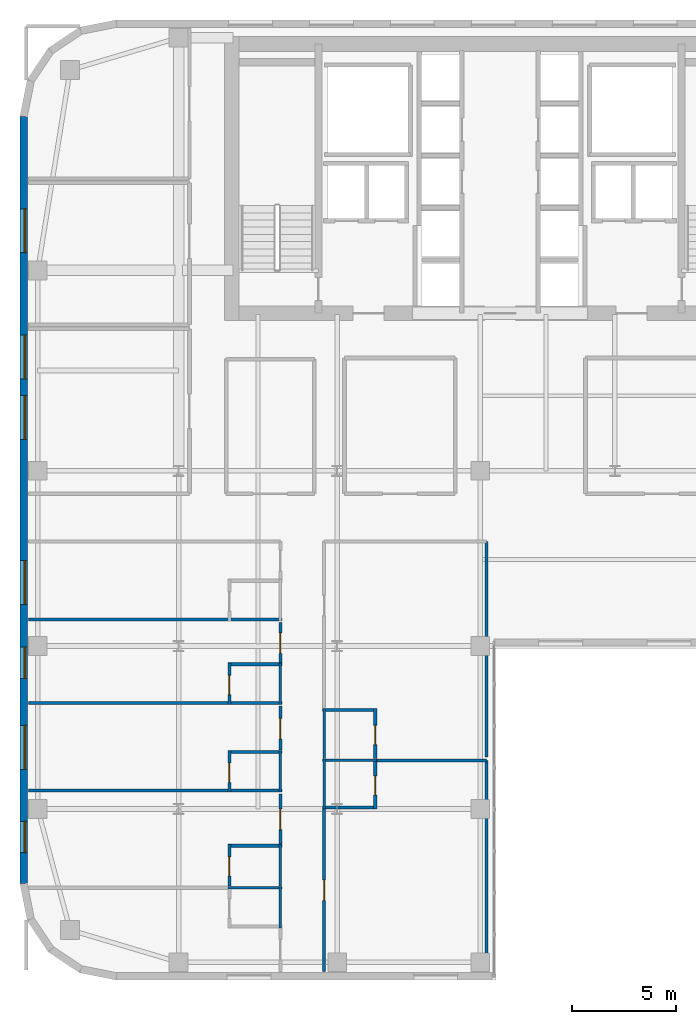
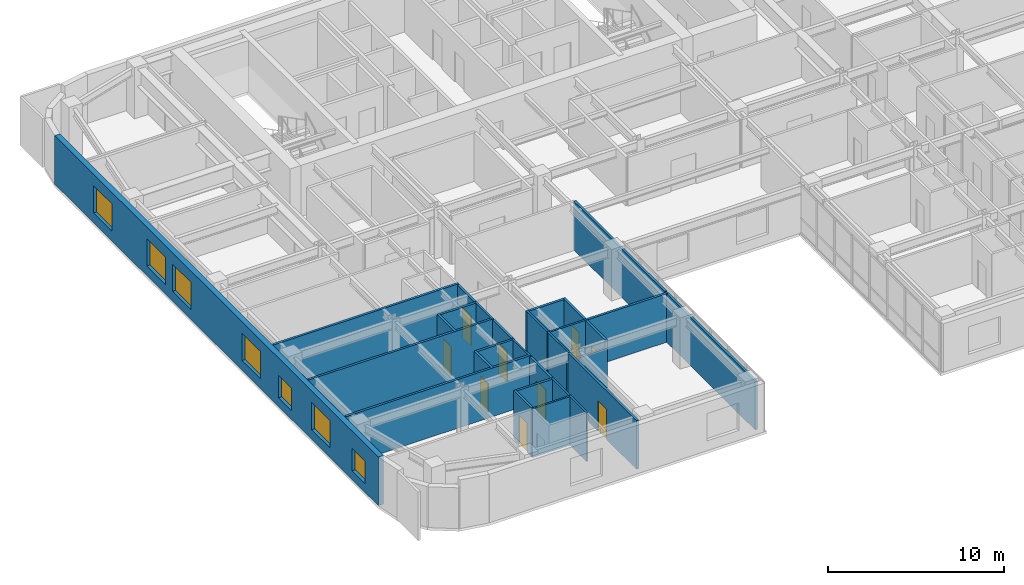
# One storey, part 10 of 17: 29 walls, 9 doors, 7 windows, 16 openings.
"""IFC4 building model written with IfcOpenShell, lengths in metres."""

import ifcopenshell
import ifcopenshell.guid

model = None  # the IFC model being written
_history = None  # IfcOwnerHistory: only IFC2X3 demands one
_inside = {}  # id of a spatial element -> (the spatial element, [elements in it])
_under = {}  # id of a project, library or spatial element -> (it, [spatial elements below it])
_declared = {}  # id of a project -> (the project, [libraries it declares])
_typed = {}  # id of a type object -> (the type object, [elements of that type])
_made_of = {}  # id of a material, layer set ... -> (it, [elements and type objects made of it])


def new_model(schema):
    """Start an empty IFC model of exactly this schema.

    Asked for "IFC4X3", IfcOpenShell would pick the latest addendum, in which some entities
    have other attributes; the version numbers below select the first issue.
    IFC2X3 requires an IfcOwnerHistory on every rooted entity: one is made here for all.
    """
    global model, _history
    if schema == "IFC4X3":
        model = ifcopenshell.file(schema_version=(4, 3, 0, 0))
    else:
        model = ifcopenshell.file(schema=schema)
    _inside.clear()
    _under.clear()
    _declared.clear()
    _typed.clear()
    _made_of.clear()
    _history = None
    if model.schema == "IFC2X3":
        org = make("IfcOrganization", Name="unknown")
        user = make(
            "IfcPersonAndOrganization",
            ThePerson=make("IfcPerson", FamilyName="unknown"),
            TheOrganization=org,
        )
        app = make(
            "IfcApplication",
            ApplicationDeveloper=org,
            Version="unknown",
            ApplicationFullName="unknown",
            ApplicationIdentifier="unknown",
        )
        _history = make(
            "IfcOwnerHistory",
            OwningUser=user,
            OwningApplication=app,
            ChangeAction="ADDED",
            CreationDate=0,
        )
    return model


def make(cls, **values):
    """One entity of the class cls with the attributes given. An attribute that is None is left unset."""
    return model.create_entity(
        cls, **{name: value for name, value in values.items() if value is not None}
    )


def rooted(cls, **values):
    """An entity with a GlobalId (a new one), such as an element, a storey or a relation."""
    return make(cls, GlobalId=ifcopenshell.guid.new(), OwnerHistory=_history, **values)


def si_unit(unit_type, name, prefix=None):
    """IfcSIUnit, for example si_unit("LENGTHUNIT", "METRE", prefix="MILLI")."""
    return make("IfcSIUnit", UnitType=unit_type, Prefix=prefix, Name=name)


def assignment(units):
    """IfcUnitAssignment: the units of a project."""
    return None if units is None else make("IfcUnitAssignment", Units=units)


def point(xyz):
    """IfcCartesianPoint."""
    return None if xyz is None else make("IfcCartesianPoint", Coordinates=xyz)


def direction(xyz):
    """IfcDirection."""
    return None if xyz is None else make("IfcDirection", DirectionRatios=xyz)


def frame(location, z_axis=None, x_axis=None):
    """IfcAxis2Placement3D, a coordinate frame: its origin and axes. An axis left out is left unset."""
    return make(
        "IfcAxis2Placement3D",
        Location=point(location),
        Axis=direction(z_axis),
        RefDirection=direction(x_axis),
    )


def frame_2d(location, x_axis=None):
    """IfcAxis2Placement2D, a coordinate frame in the plane: its origin and x axis."""
    return make(
        "IfcAxis2Placement2D", Location=point(location), RefDirection=direction(x_axis)
    )


def origin():
    """The frame at (0, 0, 0) with its axes left unset."""
    return frame((0.0, 0.0, 0.0))


def place(relative_to, where):
    """IfcLocalPlacement: puts the frame where relative to a parent placement (None: the world)."""
    return make(
        "IfcLocalPlacement", PlacementRelTo=relative_to, RelativePlacement=where
    )


def context(
    kind, dimensions, precision=None, world=None, true_north=None, identifier=None
):
    """IfcGeometricRepresentationContext, for example the 3D "Model" context."""
    return make(
        "IfcGeometricRepresentationContext",
        ContextIdentifier=identifier,
        ContextType=kind,
        CoordinateSpaceDimension=dimensions,
        Precision=precision,
        WorldCoordinateSystem=world,
        TrueNorth=true_north,
    )


def subcontext(parent, identifier, kind, view, scale=None):
    """IfcGeometricRepresentationSubContext, for example "Body" below "Model"."""
    return make(
        "IfcGeometricRepresentationSubContext",
        ContextIdentifier=identifier,
        ContextType=kind,
        ParentContext=parent,
        TargetScale=scale,
        TargetView=view,
    )


def project(units=None, contexts=None):
    """IfcProject with its units and contexts."""
    return rooted(
        "IfcProject",
        Name="project",
        RepresentationContexts=contexts,
        UnitsInContext=assignment(units),
    )


def spatial(cls, under=None, at=None, **own):
    """A site, building, storey or space (cls), placed at a placement, below another one or the project."""
    s = rooted(cls, ObjectPlacement=at, **own)
    if under is not None:
        _under.setdefault(under.id(), (under, []))[1].append(s)
    return s


def profile(cls, at=None, kind="AREA", **sizes):
    """A parametric profile (cls). Its sizes go by their IFC names, for example OverallWidth=200.0."""
    return make(cls, ProfileType=kind, Position=at, **sizes)


def rectangle(**sizes):
    """IfcRectangleProfileDef."""
    return profile("IfcRectangleProfileDef", **sizes)


def extrude(swept, where, along, depth):
    """IfcExtrudedAreaSolid: the profile swept, set in the frame where, extruded along a direction by depth."""
    return make(
        "IfcExtrudedAreaSolid",
        SweptArea=swept,
        Position=where,
        ExtrudedDirection=direction(along),
        Depth=depth,
    )


def shape(context_of_items, identifier, shape_type, items):
    """IfcShapeRepresentation: the items that make up one representation, for example the "Body"."""
    return make(
        "IfcShapeRepresentation",
        ContextOfItems=context_of_items,
        RepresentationIdentifier=identifier,
        RepresentationType=shape_type,
        Items=items,
    )


def source(mapping_origin, context_of_items, identifier, shape_type, items):
    """IfcRepresentationMap: a shape defined once, which mapped items show again and again."""
    return make(
        "IfcRepresentationMap",
        MappingOrigin=mapping_origin,
        MappedRepresentation=shape(context_of_items, identifier, shape_type, items),
    )


def transform(
    local_origin,
    x_axis=None,
    y_axis=None,
    z_axis=None,
    scale=None,
    scale2=None,
    scale3=None,
    uniform=True,
):
    """IfcCartesianTransformationOperator3D, or its non-uniform kind. x_axis, y_axis, z_axis: its Axis1, 2, 3."""
    if uniform:
        return make(
            "IfcCartesianTransformationOperator3D",
            Axis1=direction(x_axis),
            Axis2=direction(y_axis),
            LocalOrigin=point(local_origin),
            Scale=scale,
            Axis3=direction(z_axis),
        )
    return make(
        "IfcCartesianTransformationOperator3DnonUniform",
        Axis1=direction(x_axis),
        Axis2=direction(y_axis),
        LocalOrigin=point(local_origin),
        Scale=scale,
        Axis3=direction(z_axis),
        Scale2=scale2,
        Scale3=scale3,
    )


def mapped(mapping_source, mapping_target):
    """IfcMappedItem: shows the shape of a source again, moved by a transform."""
    return make(
        "IfcMappedItem", MappingSource=mapping_source, MappingTarget=mapping_target
    )


def material(Name=None, Category=None):
    """IfcMaterial."""
    return make("IfcMaterial", Name=Name, Category=Category)


def layer(
    of_material, thickness, ventilated=None, Name=None, Category=None, Priority=None
):
    """IfcMaterialLayer: one layer of a wall or slab, of a material (None: an air gap)."""
    return make(
        "IfcMaterialLayer",
        Material=of_material,
        LayerThickness=thickness,
        IsVentilated=ventilated,
        Name=Name,
        Category=Category,
        Priority=Priority,
    )


def layer_set(layers, Name=None):
    """IfcMaterialLayerSet."""
    return make("IfcMaterialLayerSet", MaterialLayers=layers, LayerSetName=Name)


def made_of(thing, what):
    """Note that an element or type object is made of a material, layer set ...; save() writes the relation."""
    if what is not None:
        _made_of.setdefault(what.id(), (what, []))[1].append(thing)
    return thing


def type_object(cls, material=None, **own):
    """A type object (cls), such as IfcWallType, which elements share."""
    return made_of(rooted(cls, **own), material)


def type_shapes(of_type, sources):
    """Give a type object the sources (RepresentationMaps) that its elements show as mapped items."""
    of_type.RepresentationMaps = sources


def element(
    cls,
    number,
    at=None,
    inside=None,
    cuts=None,
    type_object=None,
    material=None,
    context=None,
    identifier="Body",
    shape_type=None,
    held_by="IfcProductDefinitionShape",
    body=None,
    shapes=None,
    **own,
):
    """One element of the class cls, such as IfcWall. Its Tag is "e" and its number.

    at: its placement. inside: the storey or other place that contains it. cuts: it is an
    opening in that element (IfcRelVoidsElement). A single representation is given by context,
    identifier, shape_type and body (its items); several are given by shapes. held_by: the class
    of the entity that holds the representations. save() writes the other relations.
    """
    e = rooted(cls, Tag="e%d" % number, ObjectPlacement=at, **own)
    if body is not None:
        shapes = [shape(context, identifier, shape_type, body)]
    if shapes is not None:
        e.Representation = make(held_by, Representations=shapes)
    if inside is not None:
        _inside.setdefault(inside.id(), (inside, []))[1].append(e)
    if cuts is not None:
        rooted(
            "IfcRelVoidsElement", RelatingBuildingElement=cuts, RelatedOpeningElement=e
        )
    if type_object is not None:
        _typed.setdefault(type_object.id(), (type_object, []))[1].append(e)
    return made_of(e, material)


def fill(opening, filler):
    """IfcRelFillsElement: the door or window that sits in an opening."""
    return rooted(
        "IfcRelFillsElement",
        RelatingOpeningElement=opening,
        RelatedBuildingElement=filler,
    )


def aggregate(whole, parts):
    """IfcRelAggregates: a whole, such as a stair, and the parts it consists of."""
    return rooted("IfcRelAggregates", RelatingObject=whole, RelatedObjects=parts)


def save(model, path):
    """Write the relations noted so far, then the file.

    IfcRelAggregates (storeys below a building ...), IfcRelContainedInSpatialStructure (elements
    in a storey), IfcRelDefinesByType, IfcRelAssociatesMaterial and IfcRelDeclares: one each for
    every whole, place, type object, material and project.
    """
    for whole, parts in _under.values():
        aggregate(whole, parts)
    for where, things in _inside.values():
        rooted(
            "IfcRelContainedInSpatialStructure",
            RelatedElements=things,
            RelatingStructure=where,
        )
    for kind, things in _typed.values():
        rooted("IfcRelDefinesByType", RelatedObjects=things, RelatingType=kind)
    for what, things in _made_of.values():
        rooted("IfcRelAssociatesMaterial", RelatedObjects=things, RelatingMaterial=what)
    for by, libraries in _declared.values():
        rooted("IfcRelDeclares", RelatingContext=by, RelatedDefinitions=libraries)
    model.write(path)


model = new_model("IFC4")

# Units and contexts
model_context = context("Model", 3, precision=1e-05, world=origin(), true_north=direction((0.0, 1.0)))
body_context = subcontext(model_context, "Body", "Model", "MODEL_VIEW")
ifc_project = project(units=[si_unit("LENGTHUNIT", "METRE"), si_unit("AREAUNIT", "SQUARE_METRE"), si_unit("VOLUMEUNIT", "CUBIC_METRE"), si_unit("PLANEANGLEUNIT", "RADIAN"), si_unit("MASSUNIT", "GRAM", prefix="KILO")], contexts=[model_context])

# Site, building, storey
site_placement = place(None, origin())
site = spatial("IfcSite", under=ifc_project, at=site_placement, CompositionType="ELEMENT")
building_placement = place(site_placement, origin())
building = spatial("IfcBuilding", under=site, at=building_placement, Name="Tolvann Quenvar Hotel", CompositionType="ELEMENT")
storey_placement = place(building_placement, frame((0.0, 0.0, 108.0)))
storey = spatial("IfcBuildingStorey", under=building, at=storey_placement, Name="L27", CompositionType="ELEMENT", Elevation=108.0)

# Wall, openings, windows
ifc_material_1 = material(Name="Kiln-fired red and buff architectural clay brickwork and terracotta masonry", Category="masonry")
ifc_layer_1 = layer(ifc_material_1, 0.35009765625)
ifc_layer_set_1 = layer_set([ifc_layer_1], Name="Kiln-fired red and buff architectural clay brickwork and terracotta masonry")
wall_type_1 = type_object("IfcWallType", Name="WALL_EXT_BRICK_350", PredefinedType="SOLIDWALL", material=ifc_layer_set_1)
wall_1_placement = place(storey_placement, frame((0.175048828125, 41.3828125, 0.0), z_axis=(0.0, 0.0, 1.0), x_axis=(0.0, -1.0, 0.0)))
wall_1 = element("IfcWall", 1, at=wall_1_placement, inside=storey, type_object=wall_type_1, Name="Exterior Chicago Brick Wall L27-E23", PredefinedType="SOLIDWALL", context=body_context, shape_type="SweptSolid", body=[
    extrude(rectangle(XDim=36.765625, YDim=0.35009765625, at=frame_2d((18.3828125, 0.0))), origin(), (0.0, 0.0, 1.0), 3.3701171875),
])
opening_1_placement = place(wall_1_placement, frame((4.427978515625, 0.0, 0.679931640625)))
opening_1 = element("IfcOpeningElement", 2, at=opening_1_placement, cuts=wall_1, Name="Opening W-02", PredefinedType="OPENING", context=body_context, shape_type="SweptSolid", body=[
    extrude(rectangle(XDim=2.10009765625, YDim=1.89990234375, at=frame_2d((1.050048828125, 0.949951171875))), frame((0.0, 0.18505859375, 0.0), z_axis=(0.0, -1.0, 0.0), x_axis=(1.0, 0.0, 0.0)), (0.0, 0.0, 1.0), 0.3701171875),
])
opening_2_placement = place(wall_1_placement, frame((10.47900390625, 0.0, 0.679931640625)))
opening_2 = element("IfcOpeningElement", 3, at=opening_2_placement, cuts=wall_1, Name="Opening W-02", PredefinedType="OPENING", context=body_context, shape_type="SweptSolid", body=[
    extrude(rectangle(XDim=2.10009765625, YDim=1.89990234375, at=frame_2d((1.050048828125, 0.949951171875))), frame((0.0, 0.18505859375, 0.0), z_axis=(0.0, -1.0, 0.0), x_axis=(1.0, 0.0, 0.0)), (0.0, 0.0, 1.0), 0.3701171875),
])
opening_3_placement = place(wall_1_placement, frame((13.381103515625, 0.0, 0.679931640625)))
opening_3 = element("IfcOpeningElement", 4, at=opening_3_placement, cuts=wall_1, Name="Opening W-02", PredefinedType="OPENING", context=body_context, shape_type="SweptSolid", body=[
    extrude(rectangle(XDim=2.10009765625, YDim=1.89990234375, at=frame_2d((1.050048828125, 0.949951171875))), frame((0.0, 0.18505859375, 0.0), z_axis=(0.0, -1.0, 0.0), x_axis=(1.0, 0.0, 0.0)), (0.0, 0.0, 1.0), 0.3701171875),
])
opening_4_placement = place(wall_1_placement, frame((21.284912109375, 0.0, 0.679931640625)))
opening_4 = element("IfcOpeningElement", 5, at=opening_4_placement, cuts=wall_1, Name="Opening W-02", PredefinedType="OPENING", context=body_context, shape_type="SweptSolid", body=[
    extrude(rectangle(XDim=2.10009765625, YDim=1.89990234375, at=frame_2d((1.050048828125, 0.949951171875))), frame((0.0, 0.18505859375, 0.0), z_axis=(0.0, -1.0, 0.0), x_axis=(1.0, 0.0, 0.0)), (0.0, 0.0, 1.0), 0.3701171875),
])
opening_5_placement = place(wall_1_placement, frame((29.18798828125, 0.0, 0.679931640625)))
opening_5 = element("IfcOpeningElement", 6, at=opening_5_placement, cuts=wall_1, Name="Opening W-02", PredefinedType="OPENING", context=body_context, shape_type="SweptSolid", body=[
    extrude(rectangle(XDim=2.10009765625, YDim=1.89990234375, at=frame_2d((1.050048828125, 0.949951171875))), frame((0.0, 0.18505859375, 0.0), z_axis=(0.0, -1.0, 0.0), x_axis=(1.0, 0.0, 0.0)), (0.0, 0.0, 1.0), 0.3701171875),
])
opening_6_placement = place(wall_1_placement, frame((33.779052734375, 0.0, 0.6201171875)))
opening_6 = element("IfcOpeningElement", 7, at=opening_6_placement, cuts=wall_1, Name="Opening W-08", PredefinedType="OPENING", context=body_context, shape_type="SweptSolid", body=[
    extrude(rectangle(XDim=1.5, YDim=1.550048828125, at=frame_2d((0.75, 0.77490234375))), frame((0.0, 0.18505859375, 0.0), z_axis=(0.0, -1.0, 0.0), x_axis=(1.0, 0.0, 0.0)), (0.0, 0.0, 1.0), 0.3701171875),
])
opening_7_placement = place(wall_1_placement, frame((25.43310546875, 0.0, 0.6201171875)))
opening_7 = element("IfcOpeningElement", 8, at=opening_7_placement, cuts=wall_1, Name="Opening W-08", PredefinedType="OPENING", context=body_context, shape_type="SweptSolid", body=[
    extrude(rectangle(XDim=1.5, YDim=1.550048828125, at=frame_2d((0.75, 0.77490234375))), frame((0.0, 0.18505859375, 0.0), z_axis=(0.0, -1.0, 0.0), x_axis=(1.0, 0.0, 0.0)), (0.0, 0.0, 1.0), 0.3701171875),
])
ifc_material_2 = material(Name="Thermally broken bronze-anodised aluminium frame with double low-E glazing", Category="aluminium")
window_type_1 = type_object("IfcWindowType", Name="WIN_COR_1500x2050", PartitioningType="SINGLE_PANEL", PredefinedType="WINDOW", material=ifc_material_2)
shared_shape_1 = source(origin(), body_context, "Body", "SweptSolid", [
    extrude(rectangle(XDim=1.5, YDim=1.550048828125, at=frame_2d((0.75, 0.77490234375))), frame((0.0, 0.090087890625, 0.0), z_axis=(0.0, -1.0, 0.0), x_axis=(1.0, 0.0, 0.0)), (0.0, 0.0, 1.0), 0.06005859375),
])
type_shapes(window_type_1, [shared_shape_1])
window_1_placement = place(opening_6_placement, origin())
window_1 = element("IfcWindow", 9, at=window_1_placement, inside=storey, type_object=window_type_1, Name="Chicago Window W-08 (EW-L27-E23-WD06)", OverallHeight=1.550048828125, OverallWidth=1.5, PartitioningType="SINGLE_PANEL", PredefinedType="WINDOW", context=body_context, shape_type="MappedRepresentation", body=[
    mapped(shared_shape_1, transform((0.0, 0.0, 0.0), x_axis=(1.0, 0.0, 0.0), y_axis=(0.0, 1.0, 0.0), z_axis=(0.0, 0.0, 1.0), scale=1.0)),
])
fill(opening_6, window_1)
window_2_placement = place(opening_7_placement, origin())
window_2 = element("IfcWindow", 10, at=window_2_placement, inside=storey, type_object=window_type_1, Name="Chicago Window W-08 (EW-L27-E23-WD07)", OverallHeight=1.550048828125, OverallWidth=1.5, PartitioningType="SINGLE_PANEL", PredefinedType="WINDOW", context=body_context, shape_type="MappedRepresentation", body=[
    mapped(shared_shape_1, transform((0.0, 0.0, 0.0), x_axis=(1.0, 0.0, 0.0), y_axis=(0.0, 1.0, 0.0), z_axis=(0.0, 0.0, 1.0), scale=1.0)),
])
fill(opening_7, window_2)
window_type_2 = type_object("IfcWindowType", Name="WIN_CHI_2100x2050", PartitioningType="TRIPLE_PANEL_HORIZONTAL", PredefinedType="WINDOW", material=ifc_material_2)
shared_shape_2 = source(origin(), body_context, "Body", "SweptSolid", [
    extrude(rectangle(XDim=2.10009765625, YDim=1.89990234375, at=frame_2d((1.050048828125, 0.949951171875))), frame((0.0, 0.090087890625, 0.0), z_axis=(0.0, -1.0, 0.0), x_axis=(1.0, 0.0, 0.0)), (0.0, 0.0, 1.0), 0.06005859375),
])
type_shapes(window_type_2, [shared_shape_2])
window_3_placement = place(opening_1_placement, origin())
window_3 = element("IfcWindow", 11, at=window_3_placement, inside=storey, type_object=window_type_2, Name="Chicago Window W-02 (EW-L27-E23-W01)", OverallHeight=1.89990234375, OverallWidth=2.10009765625, PartitioningType="TRIPLE_PANEL_HORIZONTAL", PredefinedType="WINDOW", context=body_context, shape_type="MappedRepresentation", body=[
    mapped(shared_shape_2, transform((0.0, 0.0, 0.0), x_axis=(1.0, 0.0, 0.0), y_axis=(0.0, 1.0, 0.0), z_axis=(0.0, 0.0, 1.0), scale=1.0)),
])
fill(opening_1, window_3)
window_4_placement = place(opening_2_placement, origin())
window_4 = element("IfcWindow", 12, at=window_4_placement, inside=storey, type_object=window_type_2, Name="Chicago Window W-02 (EW-L27-E23-W02)", OverallHeight=1.89990234375, OverallWidth=2.10009765625, PartitioningType="TRIPLE_PANEL_HORIZONTAL", PredefinedType="WINDOW", context=body_context, shape_type="MappedRepresentation", body=[
    mapped(shared_shape_2, transform((0.0, 0.0, 0.0), x_axis=(1.0, 0.0, 0.0), y_axis=(0.0, 1.0, 0.0), z_axis=(0.0, 0.0, 1.0), scale=1.0)),
])
fill(opening_2, window_4)
window_5_placement = place(opening_3_placement, origin())
window_5 = element("IfcWindow", 13, at=window_5_placement, inside=storey, type_object=window_type_2, Name="Chicago Window W-02 (EW-L27-E23-W03)", OverallHeight=1.89990234375, OverallWidth=2.10009765625, PartitioningType="TRIPLE_PANEL_HORIZONTAL", PredefinedType="WINDOW", context=body_context, shape_type="MappedRepresentation", body=[
    mapped(shared_shape_2, transform((0.0, 0.0, 0.0), x_axis=(1.0, 0.0, 0.0), y_axis=(0.0, 1.0, 0.0), z_axis=(0.0, 0.0, 1.0), scale=1.0)),
])
fill(opening_3, window_5)
window_6_placement = place(opening_4_placement, origin())
window_6 = element("IfcWindow", 14, at=window_6_placement, inside=storey, type_object=window_type_2, Name="Chicago Window W-02 (EW-L27-E23-W04)", OverallHeight=1.89990234375, OverallWidth=2.10009765625, PartitioningType="TRIPLE_PANEL_HORIZONTAL", PredefinedType="WINDOW", context=body_context, shape_type="MappedRepresentation", body=[
    mapped(shared_shape_2, transform((0.0, 0.0, 0.0), x_axis=(1.0, 0.0, 0.0), y_axis=(0.0, 1.0, 0.0), z_axis=(0.0, 0.0, 1.0), scale=1.0)),
])
fill(opening_4, window_6)
window_7_placement = place(opening_5_placement, origin())
window_7 = element("IfcWindow", 15, at=window_7_placement, inside=storey, type_object=window_type_2, Name="Chicago Window W-02 (EW-L27-E23-W05)", OverallHeight=1.89990234375, OverallWidth=2.10009765625, PartitioningType="TRIPLE_PANEL_HORIZONTAL", PredefinedType="WINDOW", context=body_context, shape_type="MappedRepresentation", body=[
    mapped(shared_shape_2, transform((0.0, 0.0, 0.0), x_axis=(1.0, 0.0, 0.0), y_axis=(0.0, 1.0, 0.0), z_axis=(0.0, 0.0, 1.0), scale=1.0)),
])
fill(opening_5, window_7)

# Walls
ifc_material_3 = material(Name="Moisture-resistant acoustic plumbing wall assembly")
ifc_layer_2 = layer(ifc_material_3, 0.1201171875)
ifc_layer_set_2 = layer_set([ifc_layer_2], Name="Moisture-resistant acoustic plumbing wall assembly")
wall_type_2 = type_object("IfcWallType", Name="WALL_PART_BATH_120", PredefinedType="PLUMBINGWALL", material=ifc_layer_set_2)
wall_2_placement = place(storey_placement, frame((9.9599609375, 4.419921875, 0.0), z_axis=(0.0, 0.0, 1.0), x_axis=(1.0, 0.0, 0.0)))
element("IfcWall", 16, at=wall_2_placement, inside=storey, type_object=wall_type_2, Name="Non-Rated Plumbing Partition PT-SPC-L27-ENS-WO01-N", PredefinedType="PLUMBINGWALL", context=body_context, shape_type="SweptSolid", body=[
    extrude(rectangle(XDim=2.590087890625, YDim=0.1201171875, at=frame_2d((1.294921875, 0.0))), origin(), (0.0, 0.0, 1.0), 3.3701171875),
])
for number, where, z_axis, x_axis, name in (
    (17, (12.47998046875, 2.5, 0.0), (0.0, 0.0, 1.0), (0.0, 1.0, 0.0), "Non-Rated Plumbing Partition PT-SPC-L27-ENS-WO01-E"),
    (18, (12.47998046875, 4.510009765625, 0.0), (0.0, 0.0, 1.0), (0.0, 1.0, 0.0), "Non-Rated Plumbing Partition PT-SPC-L27-ENS-WO02-E"),
    (19, (12.47998046875, 9.010009765625, 0.0), (0.0, 0.0, 1.0), (0.0, 1.0, 0.0), "Non-Rated Plumbing Partition PT-SPC-L27-ENS-WO03-E"),
    (20, (12.47998046875, 13.2099609375, 0.0), (0.0, 0.0, 1.0), (0.0, 1.0, 0.0), "Non-Rated Plumbing Partition PT-SPC-L27-ENS-WO04-E"),
):
    element("IfcWall", number, at=place(storey_placement, frame(where, z_axis=z_axis, x_axis=x_axis)), inside=storey, type_object=wall_type_2, Name=name, PredefinedType="PLUMBINGWALL", context=body_context, shape_type="SweptSolid", body=[
        extrude(rectangle(XDim=1.989990234375, YDim=0.1201171875, at=frame_2d((0.9951171875, 0.0))), origin(), (0.0, 0.0, 1.0), 3.3701171875),
    ])
wall_3_placement = place(storey_placement, frame((14.5, 10.52001953125, 0.0), z_axis=(0.0, 0.0, 1.0), x_axis=(1.0, 0.0, 0.0)))
element("IfcWall", 21, at=wall_3_placement, inside=storey, type_object=wall_type_2, Name="Non-Rated Plumbing Partition PT-SPC-L27-ENS-WI01-N", PredefinedType="PLUMBINGWALL", context=body_context, shape_type="SweptSolid", body=[
    extrude(rectangle(XDim=2.590087890625, YDim=0.1201171875, at=frame_2d((1.294921875, 0.0))), origin(), (0.0, 0.0, 1.0), 3.3701171875),
])
wall_4_placement = place(storey_placement, frame((14.570068359375, 8.199951171875, 0.0), z_axis=(0.0, 0.0, 1.0), x_axis=(0.0, 1.0, 0.0)))
element("IfcWall", 22, at=wall_4_placement, inside=storey, type_object=wall_type_2, Name="Non-Rated Plumbing Partition PT-SPC-L27-ENS-WI01-W", PredefinedType="PLUMBINGWALL", context=body_context, shape_type="SweptSolid", body=[
    extrude(rectangle(XDim=2.39013671875, YDim=0.1201171875, at=frame_2d((1.195068359375, 0.0))), origin(), (0.0, 0.0, 1.0), 3.3701171875),
])
wall_5_placement = place(storey_placement, frame((14.570068359375, 10.610107421875, 0.0), z_axis=(0.0, 0.0, 1.0), x_axis=(0.0, 1.0, 0.0)))
element("IfcWall", 23, at=wall_5_placement, inside=storey, type_object=wall_type_2, Name="Non-Rated Plumbing Partition PT-SPC-L27-ENS-WI02-W", PredefinedType="PLUMBINGWALL", context=body_context, shape_type="SweptSolid", body=[
    extrude(rectangle(XDim=2.389892578125, YDim=0.1201171875, at=frame_2d((1.19482421875, 0.0))), origin(), (0.0, 0.0, 1.0), 3.3701171875),
])

# Wall, opening, door
ifc_material_4 = material(Name="Acoustic twin-stud fire-rated gypsum plasterboard partition")
ifc_layer_3 = layer(ifc_material_4, 0.14990234375)
ifc_layer_set_3 = layer_set([ifc_layer_3], Name="Acoustic twin-stud fire-rated gypsum plasterboard partition")
wall_type_3 = type_object("IfcWallType", Name="WALL_PART_SUITE_150", PredefinedType="PARTITIONING", material=ifc_layer_set_3)
wall_6_placement = place(storey_placement, frame((10.030029296875, 4.510009765625, 0.0), z_axis=(0.0, 0.0, 1.0), x_axis=(0.0, 1.0, 0.0)))
wall_6 = element("IfcWall", 24, at=wall_6_placement, inside=storey, type_object=wall_type_3, Name="Interior Partition PT-SPC-L27-ENS-WO02-ENT", PredefinedType="PARTITIONING", context=body_context, shape_type="SweptSolid", body=[
    extrude(rectangle(XDim=1.989990234375, YDim=0.14990234375, at=frame_2d((0.9951171875, 0.0))), origin(), (0.0, 0.0, 1.0), 3.3701171875),
])
opening_8_placement = place(wall_6_placement, frame((0.465087890625, 0.0, 0.0)))
opening_8 = element("IfcOpeningElement", 25, at=opening_8_placement, cuts=wall_6, Name="Opening WD-01", PredefinedType="OPENING", context=body_context, shape_type="SweptSolid", body=[
    extrude(rectangle(XDim=0.919921875, YDim=2.010009765625, at=frame_2d((0.4599609375, 1.0048828125))), frame((0.0, 0.0849609375, 0.0), z_axis=(0.0, -1.0, 0.0), x_axis=(1.0, 0.0, 0.0)), (0.0, 0.0, 1.0), 0.169921875),
])
ifc_material_5 = material(Name="Solid-core American oak acoustic fire door leaf in steel frame", Category="steel")
door_type_1 = type_object("IfcDoorType", Name="DOOR_WC_920", OperationType="NOTDEFINED", PredefinedType="DOOR", material=ifc_material_5)
shared_shape_3 = source(origin(), body_context, "Body", "SweptSolid", [
    extrude(rectangle(XDim=0.919921875, YDim=2.010009765625, at=frame_2d((0.4599609375, 1.0048828125))), frame((0.0, 0.02490234375, 0.0), z_axis=(0.0, -1.0, 0.0), x_axis=(1.0, 0.0, 0.0)), (0.0, 0.0, 1.0), 0.050048828125),
])
type_shapes(door_type_1, [shared_shape_3])
door_1_placement = place(opening_8_placement, origin())
door_1 = element("IfcDoor", 26, at=door_1_placement, inside=storey, type_object=door_type_1, Name="Interior Door DOOR-SPC-L27-ENS-WO02", OperationType="SINGLE_SWING_LEFT", OverallHeight=2.010009765625, OverallWidth=0.919921875, PredefinedType="DOOR", context=body_context, shape_type="MappedRepresentation", body=[
    mapped(shared_shape_3, transform((0.0, 0.0, 0.0), x_axis=(1.0, 0.0, 0.0), y_axis=(0.0, 1.0, 0.0), z_axis=(0.0, 0.0, 1.0), scale=1.0)),
])
fill(opening_8, door_1)

# Wall
wall_7_placement = place(storey_placement, frame((9.9599609375, 6.429931640625, 0.0), z_axis=(0.0, 0.0, 1.0), x_axis=(1.0, 0.0, 0.0)))
element("IfcWall", 27, at=wall_7_placement, inside=storey, type_object=wall_type_3, Name="Interior Partition PT-SPC-L27-ENS-WO02-N", PredefinedType="PARTITIONING", context=body_context, shape_type="SweptSolid", body=[
    extrude(rectangle(XDim=2.590087890625, YDim=0.14990234375, at=frame_2d((1.294921875, 0.0))), origin(), (0.0, 0.0, 1.0), 3.3701171875),
])

# Wall, opening, door
wall_8_placement = place(storey_placement, frame((10.030029296875, 9.010009765625, 0.0), z_axis=(0.0, 0.0, 1.0), x_axis=(0.0, 1.0, 0.0)))
wall_8 = element("IfcWall", 28, at=wall_8_placement, inside=storey, type_object=wall_type_3, Name="Interior Partition PT-SPC-L27-ENS-WO03-ENT", PredefinedType="PARTITIONING", context=body_context, shape_type="SweptSolid", body=[
    extrude(rectangle(XDim=1.989990234375, YDim=0.14990234375, at=frame_2d((0.9951171875, 0.0))), origin(), (0.0, 0.0, 1.0), 3.3701171875),
])
opening_9_placement = place(wall_8_placement, frame((0.465087890625, 0.0, 0.0)))
opening_9 = element("IfcOpeningElement", 29, at=opening_9_placement, cuts=wall_8, Name="Opening WD-01", PredefinedType="OPENING", context=body_context, shape_type="SweptSolid", body=[
    extrude(rectangle(XDim=0.919921875, YDim=2.010009765625, at=frame_2d((0.4599609375, 1.0048828125))), frame((0.0, 0.0849609375, 0.0), z_axis=(0.0, -1.0, 0.0), x_axis=(1.0, 0.0, 0.0)), (0.0, 0.0, 1.0), 0.169921875),
])
door_2_placement = place(opening_9_placement, origin())
door_2 = element("IfcDoor", 30, at=door_2_placement, inside=storey, type_object=door_type_1, Name="Interior Door DOOR-SPC-L27-ENS-WO03", OperationType="SINGLE_SWING_RIGHT", OverallHeight=2.010009765625, OverallWidth=0.919921875, PredefinedType="DOOR", context=body_context, shape_type="MappedRepresentation", body=[
    mapped(shared_shape_3, transform((0.0, 0.0, 0.0), x_axis=(1.0, 0.0, 0.0), y_axis=(0.0, 1.0, 0.0), z_axis=(0.0, 0.0, 1.0), scale=1.0)),
])
fill(opening_9, door_2)

# Walls
wall_9_placement = place(storey_placement, frame((0.405029296875, 9.080078125, 0.0), z_axis=(0.0, 0.0, 1.0), x_axis=(1.0, 0.0, 0.0)))
element("IfcWall", 31, at=wall_9_placement, inside=storey, type_object=wall_type_3, Name="Interior Partition PT-SPC-L27-ENS-WO03-S", PredefinedType="PARTITIONING", context=body_context, shape_type="SweptSolid", body=[
    extrude(rectangle(XDim=12.14501953125, YDim=0.14990234375, at=frame_2d((6.072509765625, 0.0))), origin(), (0.0, 0.0, 1.0), 3.3701171875),
])
wall_10_placement = place(storey_placement, frame((9.9599609375, 10.929931640625, 0.0), z_axis=(0.0, 0.0, 1.0), x_axis=(1.0, 0.0, 0.0)))
element("IfcWall", 32, at=wall_10_placement, inside=storey, type_object=wall_type_3, Name="Interior Partition PT-SPC-L27-ENS-WO03-N", PredefinedType="PARTITIONING", context=body_context, shape_type="SweptSolid", body=[
    extrude(rectangle(XDim=2.590087890625, YDim=0.14990234375, at=frame_2d((1.294921875, 0.0))), origin(), (0.0, 0.0, 1.0), 3.3701171875),
])

# Wall, opening, door
wall_11_placement = place(storey_placement, frame((10.030029296875, 13.2099609375, 0.0), z_axis=(0.0, 0.0, 1.0), x_axis=(0.0, 1.0, 0.0)))
wall_11 = element("IfcWall", 33, at=wall_11_placement, inside=storey, type_object=wall_type_3, Name="Interior Partition PT-SPC-L27-ENS-WO04-ENT", PredefinedType="PARTITIONING", context=body_context, shape_type="SweptSolid", body=[
    extrude(rectangle(XDim=1.989990234375, YDim=0.14990234375, at=frame_2d((0.9951171875, 0.0))), origin(), (0.0, 0.0, 1.0), 3.3701171875),
])
opening_10_placement = place(wall_11_placement, frame((0.465087890625, 0.0, 0.0)))
opening_10 = element("IfcOpeningElement", 34, at=opening_10_placement, cuts=wall_11, Name="Opening WD-01", PredefinedType="OPENING", context=body_context, shape_type="SweptSolid", body=[
    extrude(rectangle(XDim=0.919921875, YDim=2.010009765625, at=frame_2d((0.4599609375, 1.0048828125))), frame((0.0, 0.0849609375, 0.0), z_axis=(0.0, -1.0, 0.0), x_axis=(1.0, 0.0, 0.0)), (0.0, 0.0, 1.0), 0.169921875),
])
door_3_placement = place(opening_10_placement, origin())
door_3 = element("IfcDoor", 35, at=door_3_placement, inside=storey, type_object=door_type_1, Name="Interior Door DOOR-SPC-L27-ENS-WO04", OperationType="SINGLE_SWING_LEFT", OverallHeight=2.010009765625, OverallWidth=0.919921875, PredefinedType="DOOR", context=body_context, shape_type="MappedRepresentation", body=[
    mapped(shared_shape_3, transform((0.0, 0.0, 0.0), x_axis=(1.0, 0.0, 0.0), y_axis=(0.0, 1.0, 0.0), z_axis=(0.0, 0.0, 1.0), scale=1.0)),
])
fill(opening_10, door_3)

# Walls
wall_12_placement = place(storey_placement, frame((0.405029296875, 13.280029296875, 0.0), z_axis=(0.0, 0.0, 1.0), x_axis=(1.0, 0.0, 0.0)))
element("IfcWall", 36, at=wall_12_placement, inside=storey, type_object=wall_type_3, Name="Interior Partition PT-SPC-L27-ENS-WO04-S", PredefinedType="PARTITIONING", context=body_context, shape_type="SweptSolid", body=[
    extrude(rectangle(XDim=12.14501953125, YDim=0.14990234375, at=frame_2d((6.072509765625, 0.0))), origin(), (0.0, 0.0, 1.0), 3.3701171875),
])
wall_13_placement = place(storey_placement, frame((9.9599609375, 15.1298828125, 0.0), z_axis=(0.0, 0.0, 1.0), x_axis=(1.0, 0.0, 0.0)))
element("IfcWall", 37, at=wall_13_placement, inside=storey, type_object=wall_type_3, Name="Interior Partition PT-SPC-L27-ENS-WO04-N", PredefinedType="PARTITIONING", context=body_context, shape_type="SweptSolid", body=[
    extrude(rectangle(XDim=2.590087890625, YDim=0.14990234375, at=frame_2d((1.294921875, 0.0))), origin(), (0.0, 0.0, 1.0), 3.3701171875),
])
wall_14_placement = place(storey_placement, frame((0.405029296875, 17.280029296875, 0.0), z_axis=(0.0, 0.0, 1.0), x_axis=(1.0, 0.0, 0.0)))
element("IfcWall", 38, at=wall_14_placement, inside=storey, type_object=wall_type_3, Name="Interior Partition PT-SPC-L27-ENS-WO05-S", PredefinedType="PARTITIONING", context=body_context, shape_type="SweptSolid", body=[
    extrude(rectangle(XDim=12.14501953125, YDim=0.14990234375, at=frame_2d((6.072509765625, 0.0))), origin(), (0.0, 0.0, 1.0), 3.3701171875),
])

# Wall, opening, door
wall_15_placement = place(storey_placement, frame((17.02001953125, 8.199951171875, 0.0), z_axis=(0.0, 0.0, 1.0), x_axis=(0.0, 1.0, 0.0)))
wall_15 = element("IfcWall", 39, at=wall_15_placement, inside=storey, type_object=wall_type_3, Name="Interior Partition PT-SPC-L27-ENS-WI01-ENT", PredefinedType="PARTITIONING", context=body_context, shape_type="SweptSolid", body=[
    extrude(rectangle(XDim=2.39013671875, YDim=0.14990234375, at=frame_2d((1.195068359375, 0.0))), origin(), (0.0, 0.0, 1.0), 3.3701171875),
])
opening_11_placement = place(wall_15_placement, frame((0.6650390625, 0.0, 0.0)))
opening_11 = element("IfcOpeningElement", 40, at=opening_11_placement, cuts=wall_15, Name="Opening WD-01", PredefinedType="OPENING", context=body_context, shape_type="SweptSolid", body=[
    extrude(rectangle(XDim=0.919921875, YDim=2.010009765625, at=frame_2d((0.4599609375, 1.0048828125))), frame((0.0, 0.0849609375, 0.0), z_axis=(0.0, -1.0, 0.0), x_axis=(1.0, 0.0, 0.0)), (0.0, 0.0, 1.0), 0.169921875),
])
door_4_placement = place(opening_11_placement, origin())
door_4 = element("IfcDoor", 41, at=door_4_placement, inside=storey, type_object=door_type_1, Name="Interior Door DOOR-SPC-L27-ENS-WI01", OperationType="SINGLE_SWING_LEFT", OverallHeight=2.010009765625, OverallWidth=0.919921875, PredefinedType="DOOR", context=body_context, shape_type="MappedRepresentation", body=[
    mapped(shared_shape_3, transform((0.0, 0.0, 0.0), x_axis=(1.0, 0.0, 0.0), y_axis=(0.0, 1.0, 0.0), z_axis=(0.0, 0.0, 1.0), scale=1.0)),
])
fill(opening_11, door_4)

# Wall
wall_16_placement = place(storey_placement, frame((14.5, 8.27001953125, 0.0), z_axis=(0.0, 0.0, 1.0), x_axis=(1.0, 0.0, 0.0)))
element("IfcWall", 42, at=wall_16_placement, inside=storey, type_object=wall_type_3, Name="Interior Partition PT-SPC-L27-ENS-WI01-S", PredefinedType="PARTITIONING", context=body_context, shape_type="SweptSolid", body=[
    extrude(rectangle(XDim=2.590087890625, YDim=0.14990234375, at=frame_2d((1.294921875, 0.0))), origin(), (0.0, 0.0, 1.0), 2.748046875),
])

# Wall, opening, door
wall_17_placement = place(storey_placement, frame((17.02001953125, 10.610107421875, 0.0), z_axis=(0.0, 0.0, 1.0), x_axis=(0.0, 1.0, 0.0)))
wall_17 = element("IfcWall", 43, at=wall_17_placement, inside=storey, type_object=wall_type_3, Name="Interior Partition PT-SPC-L27-ENS-WI02-ENT", PredefinedType="PARTITIONING", context=body_context, shape_type="SweptSolid", body=[
    extrude(rectangle(XDim=2.389892578125, YDim=0.14990234375, at=frame_2d((1.19482421875, 0.0))), origin(), (0.0, 0.0, 1.0), 3.3701171875),
])
opening_12_placement = place(wall_17_placement, frame((0.6650390625, 0.0, 0.0)))
opening_12 = element("IfcOpeningElement", 44, at=opening_12_placement, cuts=wall_17, Name="Opening WD-01", PredefinedType="OPENING", context=body_context, shape_type="SweptSolid", body=[
    extrude(rectangle(XDim=0.919921875, YDim=2.010009765625, at=frame_2d((0.4599609375, 1.0048828125))), frame((0.0, 0.0849609375, 0.0), z_axis=(0.0, -1.0, 0.0), x_axis=(1.0, 0.0, 0.0)), (0.0, 0.0, 1.0), 0.169921875),
])
door_5_placement = place(opening_12_placement, origin())
door_5 = element("IfcDoor", 45, at=door_5_placement, inside=storey, type_object=door_type_1, Name="Interior Door DOOR-SPC-L27-ENS-WI02", OperationType="SINGLE_SWING_RIGHT", OverallHeight=2.010009765625, OverallWidth=0.919921875, PredefinedType="DOOR", context=body_context, shape_type="MappedRepresentation", body=[
    mapped(shared_shape_3, transform((0.0, 0.0, 0.0), x_axis=(1.0, 0.0, 0.0), y_axis=(0.0, 1.0, 0.0), z_axis=(0.0, 0.0, 1.0), scale=1.0)),
])
fill(opening_12, door_5)

# Wall
wall_18_placement = place(storey_placement, frame((14.5, 12.929931640625, 0.0), z_axis=(0.0, 0.0, 1.0), x_axis=(1.0, 0.0, 0.0)))
element("IfcWall", 46, at=wall_18_placement, inside=storey, type_object=wall_type_3, Name="Interior Partition PT-SPC-L27-ENS-WI02-N", PredefinedType="PARTITIONING", context=body_context, shape_type="SweptSolid", body=[
    extrude(rectangle(XDim=2.590087890625, YDim=0.14990234375, at=frame_2d((1.294921875, 0.0))), origin(), (0.0, 0.0, 1.0), 3.3701171875),
])

# Wall, opening, door
wall_19_placement = place(storey_placement, frame((12.47998046875, 6.510009765625, 0.0), z_axis=(0.0, 0.0, 1.0), x_axis=(0.0, 1.0, 0.0)))
wall_19 = element("IfcWall", 47, at=wall_19_placement, inside=storey, type_object=wall_type_3, Name="Interior Partition PT-SPC-L27-RM-WO02-ENT", PredefinedType="PARTITIONING", context=body_context, shape_type="SweptSolid", body=[
    extrude(rectangle(XDim=2.409912109375, YDim=0.14990234375, at=frame_2d((1.205078125, 0.0))), origin(), (0.0, 0.0, 1.0), 3.3701171875),
])
opening_13_placement = place(wall_19_placement, frame((0.695068359375, 0.0, 0.0)))
opening_13 = element("IfcOpeningElement", 48, at=opening_13_placement, cuts=wall_19, Name="Opening SD-01", PredefinedType="OPENING", context=body_context, shape_type="SweptSolid", body=[
    extrude(rectangle(XDim=0.97998046875, YDim=2.1201171875, at=frame_2d((0.489990234375, 1.06005859375))), frame((0.0, 0.0849609375, 0.0), z_axis=(0.0, -1.0, 0.0), x_axis=(1.0, 0.0, 0.0)), (0.0, 0.0, 1.0), 0.169921875),
])
door_type_2 = type_object("IfcDoorType", Name="DOOR_SUITE_980", OperationType="NOTDEFINED", PredefinedType="DOOR", material=ifc_material_5)
shared_shape_4 = source(origin(), body_context, "Body", "SweptSolid", [
    extrude(rectangle(XDim=0.97998046875, YDim=2.1201171875, at=frame_2d((0.489990234375, 1.06005859375))), frame((0.0, 0.02490234375, 0.0), z_axis=(0.0, -1.0, 0.0), x_axis=(1.0, 0.0, 0.0)), (0.0, 0.0, 1.0), 0.050048828125),
])
type_shapes(door_type_2, [shared_shape_4])
door_6_placement = place(opening_13_placement, origin())
door_6 = element("IfcDoor", 49, at=door_6_placement, inside=storey, type_object=door_type_2, Name="Interior Door DOOR-SPC-L27-RM-WO02", OperationType="SINGLE_SWING_LEFT", OverallHeight=2.1201171875, OverallWidth=0.97998046875, PredefinedType="DOOR", context=body_context, shape_type="MappedRepresentation", body=[
    mapped(shared_shape_4, transform((0.0, 0.0, 0.0), x_axis=(1.0, 0.0, 0.0), y_axis=(0.0, 1.0, 0.0), z_axis=(0.0, 0.0, 1.0), scale=1.0)),
])
fill(opening_13, door_6)

wall_20_placement = place(storey_placement, frame((12.47998046875, 11.010009765625, 0.0), z_axis=(0.0, 0.0, 1.0), x_axis=(0.0, 1.0, 0.0)))
wall_20 = element("IfcWall", 50, at=wall_20_placement, inside=storey, type_object=wall_type_3, Name="Interior Partition PT-SPC-L27-RM-WO03-ENT", PredefinedType="PARTITIONING", context=body_context, shape_type="SweptSolid", body=[
    extrude(rectangle(XDim=2.110107421875, YDim=0.14990234375, at=frame_2d((1.05517578125, 0.0))), origin(), (0.0, 0.0, 1.0), 3.3701171875),
])
opening_14_placement = place(wall_20_placement, frame((0.544921875, 0.0, 0.0)))
opening_14 = element("IfcOpeningElement", 51, at=opening_14_placement, cuts=wall_20, Name="Opening SD-01", PredefinedType="OPENING", context=body_context, shape_type="SweptSolid", body=[
    extrude(rectangle(XDim=0.97998046875, YDim=2.1201171875, at=frame_2d((0.489990234375, 1.06005859375))), frame((0.0, 0.0849609375, 0.0), z_axis=(0.0, -1.0, 0.0), x_axis=(1.0, 0.0, 0.0)), (0.0, 0.0, 1.0), 0.169921875),
])
door_7_placement = place(opening_14_placement, origin())
door_7 = element("IfcDoor", 52, at=door_7_placement, inside=storey, type_object=door_type_2, Name="Interior Door DOOR-SPC-L27-RM-WO03", OperationType="SINGLE_SWING_RIGHT", OverallHeight=2.1201171875, OverallWidth=0.97998046875, PredefinedType="DOOR", context=body_context, shape_type="MappedRepresentation", body=[
    mapped(shared_shape_4, transform((0.0, 0.0, 0.0), x_axis=(1.0, 0.0, 0.0), y_axis=(0.0, 1.0, 0.0), z_axis=(0.0, 0.0, 1.0), scale=1.0)),
])
fill(opening_14, door_7)

wall_21_placement = place(storey_placement, frame((12.47998046875, 15.2099609375, 0.0), z_axis=(0.0, 0.0, 1.0), x_axis=(0.0, 1.0, 0.0)))
wall_21 = element("IfcWall", 53, at=wall_21_placement, inside=storey, type_object=wall_type_3, Name="Interior Partition PT-SPC-L27-RM-WO04-ENT", PredefinedType="PARTITIONING", context=body_context, shape_type="SweptSolid", body=[
    extrude(rectangle(XDim=1.91015625, YDim=0.14990234375, at=frame_2d((0.955078125, 0.0))), origin(), (0.0, 0.0, 1.0), 3.3701171875),
])
opening_15_placement = place(wall_21_placement, frame((0.445068359375, 0.0, 0.0)))
opening_15 = element("IfcOpeningElement", 54, at=opening_15_placement, cuts=wall_21, Name="Opening SD-01", PredefinedType="OPENING", context=body_context, shape_type="SweptSolid", body=[
    extrude(rectangle(XDim=0.97998046875, YDim=2.1201171875, at=frame_2d((0.489990234375, 1.06005859375))), frame((0.0, 0.0849609375, 0.0), z_axis=(0.0, -1.0, 0.0), x_axis=(1.0, 0.0, 0.0)), (0.0, 0.0, 1.0), 0.169921875),
])
door_8_placement = place(opening_15_placement, origin())
door_8 = element("IfcDoor", 55, at=door_8_placement, inside=storey, type_object=door_type_2, Name="Interior Door DOOR-SPC-L27-RM-WO04", OperationType="SINGLE_SWING_LEFT", OverallHeight=2.1201171875, OverallWidth=0.97998046875, PredefinedType="DOOR", context=body_context, shape_type="MappedRepresentation", body=[
    mapped(shared_shape_4, transform((0.0, 0.0, 0.0), x_axis=(1.0, 0.0, 0.0), y_axis=(0.0, 1.0, 0.0), z_axis=(0.0, 0.0, 1.0), scale=1.0)),
])
fill(opening_15, door_8)

wall_22_placement = place(storey_placement, frame((14.570068359375, 0.405029296875, 0.0), z_axis=(0.0, 0.0, 1.0), x_axis=(0.0, 1.0, 0.0)))
wall_22 = element("IfcWall", 56, at=wall_22_placement, inside=storey, type_object=wall_type_3, Name="Interior Partition PT-SPC-L27-RM-WI01-ENT", PredefinedType="PARTITIONING", context=body_context, shape_type="SweptSolid", body=[
    extrude(rectangle(XDim=7.784912109375, YDim=0.14990234375, at=frame_2d((3.892578125, 0.0))), origin(), (0.0, 0.0, 1.0), 3.3701171875),
])
opening_16_placement = place(wall_22_placement, frame((3.409912109375, 0.0, 0.0)))
opening_16 = element("IfcOpeningElement", 57, at=opening_16_placement, cuts=wall_22, Name="Opening SD-01", PredefinedType="OPENING", context=body_context, shape_type="SweptSolid", body=[
    extrude(rectangle(XDim=0.97998046875, YDim=2.1201171875, at=frame_2d((0.489990234375, 1.06005859375))), frame((0.0, 0.0849609375, 0.0), z_axis=(0.0, -1.0, 0.0), x_axis=(1.0, 0.0, 0.0)), (0.0, 0.0, 1.0), 0.169921875),
])
door_9_placement = place(opening_16_placement, origin())
door_9 = element("IfcDoor", 58, at=door_9_placement, inside=storey, type_object=door_type_2, Name="Interior Door DOOR-SPC-L27-RM-WI01", OperationType="SINGLE_SWING_LEFT", OverallHeight=2.1201171875, OverallWidth=0.97998046875, PredefinedType="DOOR", context=body_context, shape_type="MappedRepresentation", body=[
    mapped(shared_shape_4, transform((0.0, 0.0, 0.0), x_axis=(1.0, 0.0, 0.0), y_axis=(0.0, 1.0, 0.0), z_axis=(0.0, 0.0, 1.0), scale=1.0)),
])
fill(opening_16, door_9)

# Walls
wall_23_placement = place(storey_placement, frame((22.35009765625, 0.405029296875, 0.0), z_axis=(0.0, 0.0, 1.0), x_axis=(0.0, 1.0, 0.0)))
element("IfcWall", 59, at=wall_23_placement, inside=storey, type_object=wall_type_3, Name="Interior Partition PT-SPC-L27-RM-WI01-E2", PredefinedType="PARTITIONING", context=body_context, shape_type="SweptSolid", body=[
    extrude(rectangle(XDim=10.114990234375, YDim=0.14990234375, at=frame_2d((5.0576171875, 0.0))), origin(), (0.0, 0.0, 1.0), 3.3701171875),
])
wall_24_placement = place(storey_placement, frame((17.0400390625, 10.52001953125, 0.0), z_axis=(0.0, 0.0, 1.0), x_axis=(1.0, 0.0, 0.0)))
element("IfcWall", 60, at=wall_24_placement, inside=storey, type_object=wall_type_3, Name="Interior Partition PT-SPC-L27-RM-WI01-E3", PredefinedType="PARTITIONING", context=body_context, shape_type="SweptSolid", body=[
    extrude(rectangle(XDim=5.31005859375, YDim=0.14990234375, at=frame_2d((2.655029296875, 0.0))), origin(), (0.0, 0.0, 1.0), 3.3701171875),
])
wall_25_placement = place(storey_placement, frame((22.35009765625, 10.679931640625, 0.0), z_axis=(0.0, 0.0, 1.0), x_axis=(0.0, 1.0, 0.0)))
element("IfcWall", 61, at=wall_25_placement, inside=storey, type_object=wall_type_3, Name="Interior Partition PT-SPC-L27-RM-WI02-E4", PredefinedType="PARTITIONING", context=body_context, shape_type="SweptSolid", body=[
    extrude(rectangle(XDim=10.340087890625, YDim=0.14990234375, at=frame_2d((5.169921875, 0.0))), origin(), (0.0, 0.0, 1.0), 3.3701171875),
])

save(model, "model.ifc")
